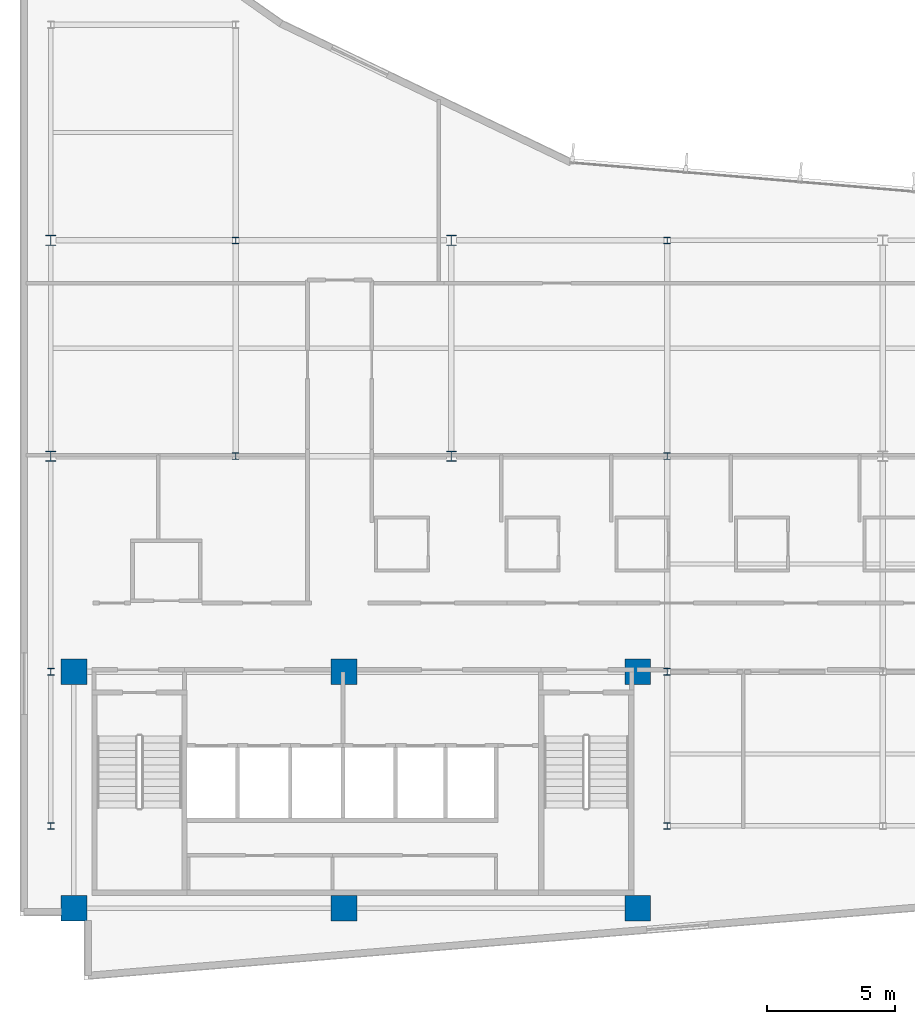
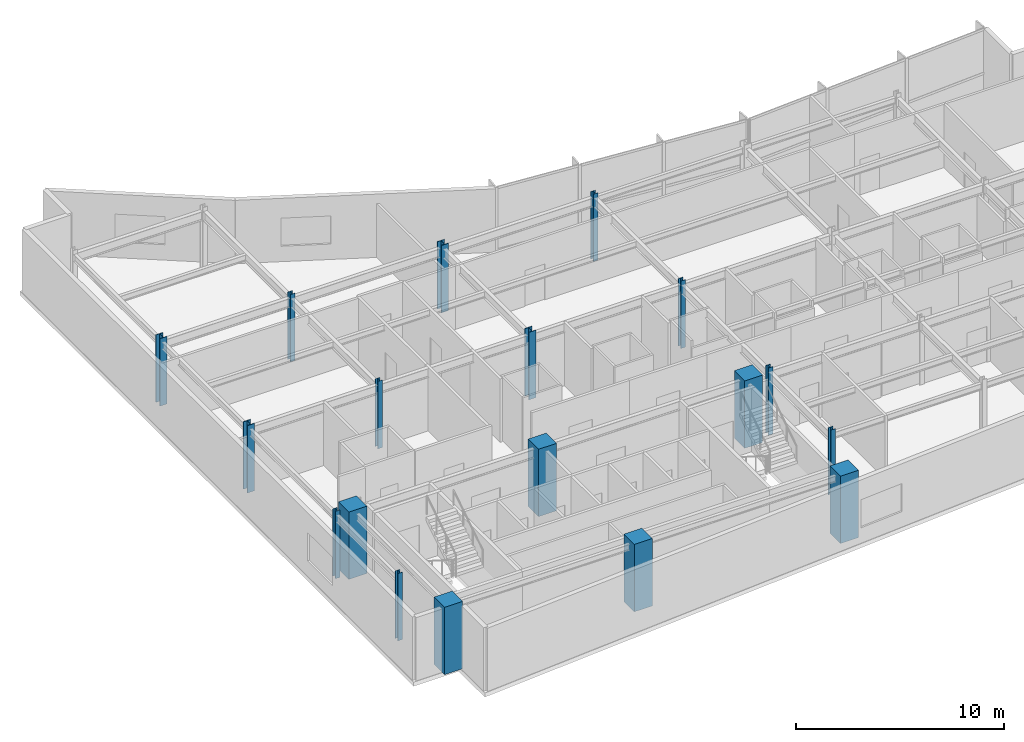
# One storey, part 1 of 15: 18 columns.
"""IFC4 building model written with IfcOpenShell, lengths in metres."""

from ifc_helpers import new_model, si_unit, direction, frame, origin, origin_2d, place, context, subcontext, project, spatial, rectangle, i_section, extrude, material, material_profile, profile_set, type_object, element, save


model = new_model("IFC4")

# Units and contexts
model_context = context("Model", 3, precision=1e-05, world=origin(), true_north=direction((0.0, 1.0)))
body_context = subcontext(model_context, "Body", "Model", "MODEL_VIEW")
ifc_project = project(units=[si_unit("LENGTHUNIT", "METRE"), si_unit("AREAUNIT", "SQUARE_METRE"), si_unit("VOLUMEUNIT", "CUBIC_METRE"), si_unit("PLANEANGLEUNIT", "RADIAN"), si_unit("MASSUNIT", "GRAM", prefix="KILO")], contexts=[model_context])

# Site, building, storey
site_placement = place(None, origin())
site = spatial("IfcSite", under=ifc_project, at=site_placement, CompositionType="ELEMENT")
building_placement = place(site_placement, origin())
building = spatial("IfcBuilding", under=site, at=building_placement, Name="Varnakote Quay Hospital", CompositionType="ELEMENT")
storey_placement = place(building_placement, frame((0.0, 0.0, 192.10009765625)))
storey = spatial("IfcBuildingStorey", under=building, at=storey_placement, Name="L47", CompositionType="ELEMENT", Elevation=192.10009765625)

# Columns
ifc_material_1 = material(Name="Concrete N65 (f'c 65 MPa)", Category="concrete")
ifc_material_profile_1 = material_profile(ifc_material_1, rectangle(XDim=1.0, YDim=1.0, at=origin_2d()), Name="RC-COL-1000x1000")
ifc_profile_set_1 = profile_set([ifc_material_profile_1], Name="Concrete N65 (f'c 65 MPa)")
column_type_1 = type_object("IfcColumnType", Name="COL-RC-1000", PredefinedType="COLUMN", material=ifc_profile_set_1)
for number, where, z_axis, x_axis, name in (
    (1, (2.10009765625, 2.800048828125, 0.0), (0.0, 0.0, 1.0), (1.0, 0.0, 0.0), "L47 Structural Column C-2-3"),
    (2, (12.6201171875, 2.800048828125, 0.0), (0.0, 0.0, 1.0), (1.0, 0.0, 0.0), "L47 Structural Column C-13-3"),
    (3, (24.050048828125, 2.800048828125, 0.0), (0.0, 0.0, 1.0), (1.0, 0.0, 0.0), "L47 Structural Column C-24-3"),
    (4, (2.10009765625, 12.0, 0.0), (0.0, 0.0, 1.0), (1.0, 0.0, 0.0), "L47 Structural Column C-2-12"),
    (5, (12.6201171875, 12.0, 0.0), (0.0, 0.0, 1.0), (1.0, 0.0, 0.0), "L47 Structural Column C-13-12"),
    (6, (24.050048828125, 12.0, 0.0), (0.0, 0.0, 1.0), (1.0, 0.0, 0.0), "L47 Structural Column C-24-12"),
):
    element("IfcColumn", number, at=place(storey_placement, frame(where, z_axis=z_axis, x_axis=x_axis)), inside=storey, type_object=column_type_1, Name=name, PredefinedType="COLUMN", context=body_context, shape_type="SweptSolid", body=[
        extrude(rectangle(XDim=1.0, YDim=1.0, at=origin_2d()), origin(), (0.0, 0.0, 1.0), 3.949951171875),
    ])
ifc_material_2 = material(Name="Structural steel AS/NZS 3679.1 Grade 350 L0 (fy 340 MPa)", Category="steel")
ifc_material_profile_2 = material_profile(ifc_material_2, i_section(OverallWidth=0.256103515625, OverallDepth=0.260009765625, WebThickness=0.010498046875, FlangeThickness=0.017333984375, FilletRadius=0.0126953125, at=origin_2d()), Name="250UC89.5")
ifc_profile_set_2 = profile_set([ifc_material_profile_2], Name="Structural steel AS/NZS 3679.1 Grade 350 L0 (fy 340 MPa)")
column_type_2 = type_object("IfcColumnType", Name="COL-STL-250UC89-5", PredefinedType="COLUMN", material=ifc_profile_set_2)
for number, where, z_axis, x_axis, name in (
    (7, (1.199951171875, 6.0, 0.0), (0.0, 0.0, 1.0), (1.0, 0.0, 0.0), "L47 Structural Column C-1-6"),
    (8, (25.199951171875, 6.0, 0.0), (0.0, 0.0, 1.0), (1.0, 0.0, 0.0), "L47 Structural Column C-25-6"),
    (9, (1.199951171875, 12.0, 0.0), (0.0, 0.0, 1.0), (1.0, 0.0, 0.0), "L47 Structural Column C-1-12"),
    (10, (25.199951171875, 12.0, 0.0), (0.0, 0.0, 1.0), (1.0, 0.0, 0.0), "L47 Structural Column C-25-12"),
    (11, (8.39990234375, 20.39990234375, 0.0), (0.0, 0.0, 1.0), (1.0, 0.0, 0.0), "L47 Structural Column C-8-20"),
    (12, (25.199951171875, 20.39990234375, 0.0), (0.0, 0.0, 1.0), (1.0, 0.0, 0.0), "L47 Structural Column C-25-20"),
    (13, (8.39990234375, 28.800048828125, 0.0), (0.0, 0.0, 1.0), (1.0, 0.0, 0.0), "L47 Structural Column C-8-29"),
    (14, (25.199951171875, 28.800048828125, 0.0), (0.0, 0.0, 1.0), (1.0, 0.0, 0.0), "L47 Structural Column C-25-29"),
):
    element("IfcColumn", number, at=place(storey_placement, frame(where, z_axis=z_axis, x_axis=x_axis)), inside=storey, type_object=column_type_2, Name=name, PredefinedType="COLUMN", context=body_context, shape_type="SweptSolid", body=[
        extrude(i_section(OverallWidth=0.256103515625, OverallDepth=0.260009765625, WebThickness=0.010498046875, FlangeThickness=0.017333984375, FilletRadius=0.0126953125, at=origin_2d()), origin(), (0.0, 0.0, 1.0), 3.949951171875),
    ])
ifc_material_3 = material(Name="Structural steel AS/NZS 3678 Grade 350 (fy 340 MPa)", Category="steel")
ifc_material_profile_3 = material_profile(ifc_material_3, i_section(OverallWidth=0.39990234375, OverallDepth=0.404052734375, WebThickness=0.02001953125, FlangeThickness=0.031982421875, at=origin_2d()), Name="400WC270")
ifc_profile_set_3 = profile_set([ifc_material_profile_3], Name="Structural steel AS/NZS 3678 Grade 350 (fy 340 MPa)")
column_type_3 = type_object("IfcColumnType", Name="COL-STL-400WC270", PredefinedType="COLUMN", material=ifc_profile_set_3)
for number, where, z_axis, x_axis, name in (
    (15, (1.199951171875, 20.39990234375, 0.0), (0.0, 0.0, 1.0), (1.0, 0.0, 0.0), "L47 Structural Column C-1-20"),
    (16, (16.800048828125, 20.39990234375, 0.0), (0.0, 0.0, 1.0), (1.0, 0.0, 0.0), "L47 Structural Column C-17-20"),
    (17, (1.199951171875, 28.800048828125, 0.0), (0.0, 0.0, 1.0), (1.0, 0.0, 0.0), "L47 Structural Column C-1-29"),
    (18, (16.800048828125, 28.800048828125, 0.0), (0.0, 0.0, 1.0), (1.0, 0.0, 0.0), "L47 Structural Column C-17-29"),
):
    element("IfcColumn", number, at=place(storey_placement, frame(where, z_axis=z_axis, x_axis=x_axis)), inside=storey, type_object=column_type_3, Name=name, PredefinedType="COLUMN", context=body_context, shape_type="SweptSolid", body=[
        extrude(i_section(OverallWidth=0.39990234375, OverallDepth=0.404052734375, WebThickness=0.02001953125, FlangeThickness=0.031982421875, at=origin_2d()), origin(), (0.0, 0.0, 1.0), 3.949951171875),
    ])

save(model, "model.ifc")
